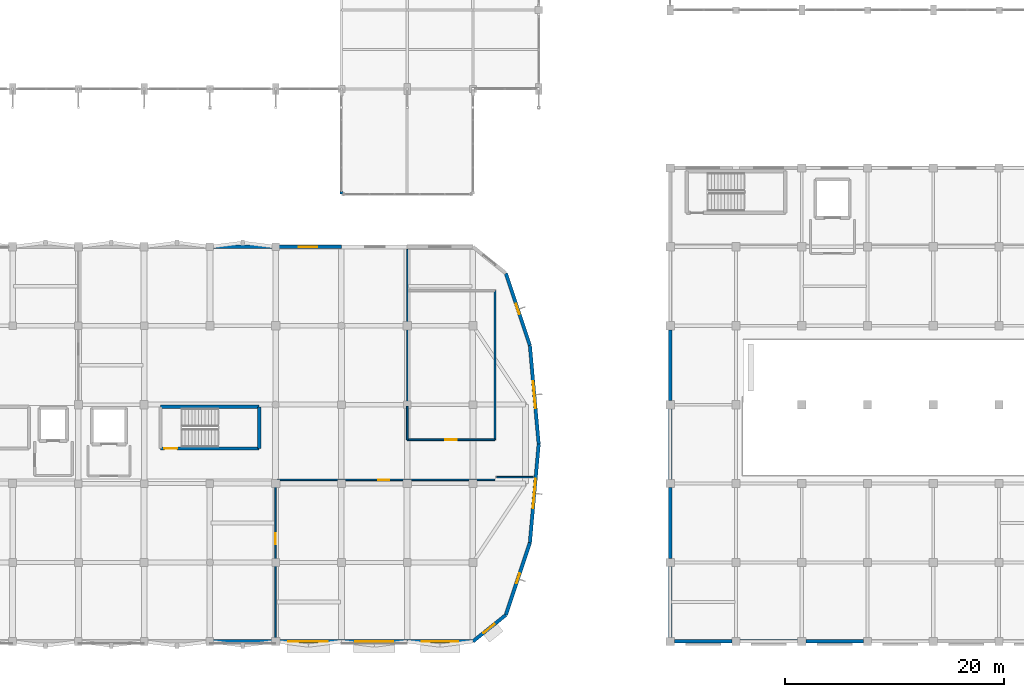
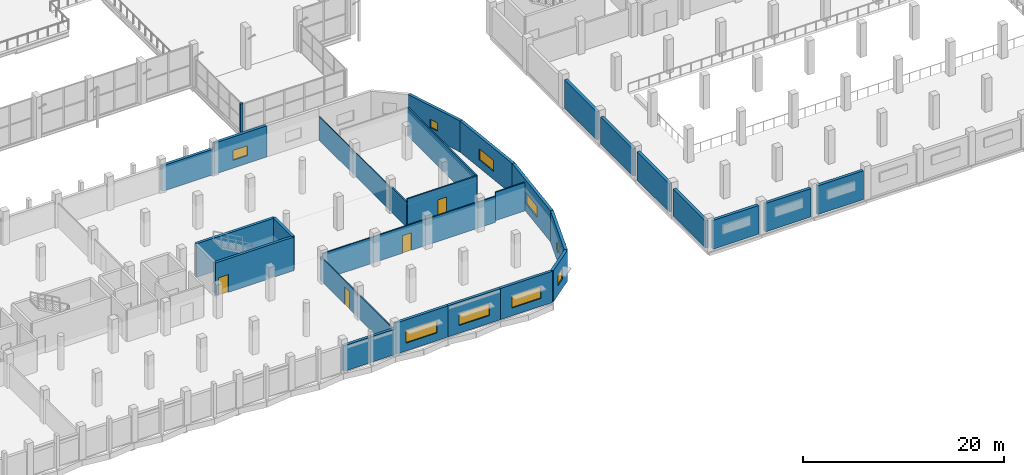
# One storey, part 107 of 127: 29 walls, 9 windows, 4 doors, 13 openings.
"""IFC4 building model written with IfcOpenShell, lengths in metres."""

from ifc_helpers import new_model, si_unit, direction, frame, frame_2d, origin, place, context, subcontext, project, spatial, rectangle, extrude, material, layer, layer_set, type_object, element, fill, save


model = new_model("IFC4")

# Units and contexts
model_context = context("Model", 3, precision=1e-05, world=origin(), true_north=direction((0.0, 1.0)))
body_context = subcontext(model_context, "Body", "Model", "MODEL_VIEW")
ifc_project = project(units=[si_unit("LENGTHUNIT", "METRE"), si_unit("AREAUNIT", "SQUARE_METRE"), si_unit("VOLUMEUNIT", "CUBIC_METRE"), si_unit("PLANEANGLEUNIT", "RADIAN"), si_unit("MASSUNIT", "GRAM", prefix="KILO")], contexts=[model_context])

# Site, building, storey
site_placement = place(None, origin())
site = spatial("IfcSite", under=ifc_project, at=site_placement, CompositionType="ELEMENT")
building_placement = place(site_placement, origin())
building = spatial("IfcBuilding", under=site, at=building_placement, Name="Dunvalen Ferry Terminal", CompositionType="ELEMENT")
storey_placement = place(building_placement, frame((0.0, 0.0, 5.760009765625)))
storey = spatial("IfcBuildingStorey", under=building, at=storey_placement, Name="L01", CompositionType="ELEMENT", Elevation=5.760009765625)

# Walls
ifc_material_1 = material(Name="Precast concrete C40/50", Category="concrete")
ifc_layer_1 = layer(ifc_material_1, 0.27001953125, Name="Precast concrete C40/50")
ifc_layer_set_1 = layer_set([ifc_layer_1], Name="Precast concrete C40/50")
wall_type_1 = type_object("IfcWallType", Name="ENV-WL-PAV270", PredefinedType="SOLIDWALL", material=ifc_layer_set_1)
wall_1_placement = place(storey_placement, frame((78.0, 40.800048828125, 0.0), z_axis=(0.0, 0.0, 1.0), x_axis=(0.0, 1.0, 0.0)))
element("IfcWall", 1, at=wall_1_placement, inside=storey, type_object=wall_type_1, Name="L01 Link Bridge South Pier Jamb 1", PredefinedType="SOLIDWALL", context=body_context, shape_type="SweptSolid", body=[
    extrude(rectangle(XDim=0.25, YDim=0.27001953125, at=frame_2d((0.125, 0.0))), origin(), (0.0, 0.0, 1.0), 3.43994140625),
])
ifc_layer_2 = layer(ifc_material_1, 0.320068359375, Name="Precast concrete C40/50")
ifc_layer_set_2 = layer_set([ifc_layer_2], Name="Precast concrete C40/50")
wall_type_2 = type_object("IfcWallType", Name="ENV-WL-SPN320", PredefinedType="SOLIDWALL", material=ifc_layer_set_2)
wall_2_placement = place(storey_placement, frame((66.0, 0.0, 0.0), z_axis=(0.0, 0.0, 1.0), x_axis=(1.0, 0.0, 0.0)))
element("IfcWall", 2, at=wall_2_placement, inside=storey, type_object=wall_type_2, Name="L01 Streamline Moderne Facade Wall 01.11", PredefinedType="SOLIDWALL", context=body_context, shape_type="SweptSolid", body=[
    extrude(rectangle(XDim=6.0, YDim=0.320068359375, at=frame_2d((3.0, 0.0))), origin(), (0.0, 0.0, 1.0), 3.110107421875),
])

# Wall, opening, window
wall_3_placement = place(storey_placement, frame((72.0, 0.0, 0.0), z_axis=(0.0, 0.0, 1.0), x_axis=(1.0, 0.0, 0.0)))
wall_3 = element("IfcWall", 3, at=wall_3_placement, inside=storey, type_object=wall_type_2, Name="L01 Streamline Moderne Facade Wall 01.12", PredefinedType="SOLIDWALL", context=body_context, shape_type="SweptSolid", body=[
    extrude(rectangle(XDim=6.0, YDim=0.320068359375, at=frame_2d((3.0, 0.0))), origin(), (0.0, 0.0, 1.0), 3.780029296875),
])
opening_1_placement = place(wall_3_placement, frame((1.148193359375, 0.0, 0.949951171875)))
opening_1 = element("IfcOpeningElement", 4, at=opening_1_placement, cuts=wall_3, Name="Opening W-23", PredefinedType="OPENING", context=body_context, shape_type="SweptSolid", body=[
    extrude(rectangle(XDim=3.60009765625, YDim=1.5, at=frame_2d((1.800048828125, 0.75))), frame((0.0, 0.169921875, 0.0), z_axis=(0.0, -1.0, 0.0), x_axis=(1.0, 0.0, 0.0)), (0.0, 0.0, 1.0), 0.340087890625),
])
ifc_material_2 = material(Name="Thermally broken aluminium and double glazing", Category="aluminium")
window_type_1 = type_object("IfcWindowType", Name="ENV-WIN-RIB-23", PartitioningType="SINGLE_PANEL", PredefinedType="WINDOW", material=ifc_material_2)
window_1_placement = place(opening_1_placement, origin())
window_1 = element("IfcWindow", 5, at=window_1_placement, inside=storey, type_object=window_type_1, Name="L01 Streamline Ribbon Window 01.12", OverallHeight=1.5, OverallWidth=3.60009765625, PartitioningType="SINGLE_PANEL", PredefinedType="WINDOW", context=body_context, shape_type="SweptSolid", body=[
    extrude(rectangle(XDim=3.60009765625, YDim=1.5, at=frame_2d((1.800048828125, 0.75))), frame((0.0, 0.030029296875, 0.0), z_axis=(0.0, -1.0, 0.0), x_axis=(1.0, 0.0, 0.0)), (0.0, 0.0, 1.0), 0.06005859375),
])
fill(opening_1, window_1)

wall_4_placement = place(storey_placement, frame((78.0, 0.0, 0.0), z_axis=(0.0, 0.0, 1.0), x_axis=(1.0, 0.0, 0.0)))
wall_4 = element("IfcWall", 6, at=wall_4_placement, inside=storey, type_object=wall_type_2, Name="L01 Streamline Moderne Facade Wall 01.13", PredefinedType="SOLIDWALL", context=body_context, shape_type="SweptSolid", body=[
    extrude(rectangle(XDim=6.0, YDim=0.320068359375, at=frame_2d((3.0, 0.0))), origin(), (0.0, 0.0, 1.0), 3.780029296875),
])
opening_2_placement = place(wall_4_placement, frame((1.25, 0.0, 0.949951171875)))
opening_2 = element("IfcOpeningElement", 7, at=opening_2_placement, cuts=wall_4, Name="Opening W-24", PredefinedType="OPENING", context=body_context, shape_type="SweptSolid", body=[
    extrude(rectangle(XDim=3.5, YDim=1.449951171875, at=frame_2d((1.75, 0.72509765625))), frame((0.0, 0.169921875, 0.0), z_axis=(0.0, -1.0, 0.0), x_axis=(1.0, 0.0, 0.0)), (0.0, 0.0, 1.0), 0.340087890625),
])
window_type_2 = type_object("IfcWindowType", Name="ENV-WIN-RIB-24", PartitioningType="SINGLE_PANEL", PredefinedType="WINDOW", material=ifc_material_2)
window_2_placement = place(opening_2_placement, origin())
window_2 = element("IfcWindow", 8, at=window_2_placement, inside=storey, type_object=window_type_2, Name="L01 Streamline Ribbon Window 01.13", OverallHeight=1.449951171875, OverallWidth=3.5, PartitioningType="SINGLE_PANEL", PredefinedType="WINDOW", context=body_context, shape_type="SweptSolid", body=[
    extrude(rectangle(XDim=3.5, YDim=1.449951171875, at=frame_2d((1.75, 0.72509765625))), frame((0.0, 0.030029296875, 0.0), z_axis=(0.0, -1.0, 0.0), x_axis=(1.0, 0.0, 0.0)), (0.0, 0.0, 1.0), 0.06005859375),
])
fill(opening_2, window_2)

wall_5_placement = place(storey_placement, frame((84.0, 0.0, 0.0), z_axis=(0.0, 0.0, 1.0), x_axis=(1.0, 0.0, 0.0)))
wall_5 = element("IfcWall", 9, at=wall_5_placement, inside=storey, type_object=wall_type_2, Name="L01 Streamline Moderne Facade Wall 01.14", PredefinedType="SOLIDWALL", context=body_context, shape_type="SweptSolid", body=[
    extrude(rectangle(XDim=6.0, YDim=0.320068359375, at=frame_2d((3.0, 0.0))), origin(), (0.0, 0.0, 1.0), 3.780029296875),
])
opening_3_placement = place(wall_5_placement, frame((1.35009765625, 0.0, 0.949951171875)))
opening_3 = element("IfcOpeningElement", 10, at=opening_3_placement, cuts=wall_5, Name="Opening W-25", PredefinedType="OPENING", context=body_context, shape_type="SweptSolid", body=[
    extrude(rectangle(XDim=3.300048828125, YDim=1.449951171875, at=frame_2d((1.64990234375, 0.72509765625))), frame((0.0, 0.169921875, 0.0), z_axis=(0.0, -1.0, 0.0), x_axis=(1.0, 0.0, 0.0)), (0.0, 0.0, 1.0), 0.340087890625),
])
window_type_3 = type_object("IfcWindowType", Name="ENV-WIN-RIB-25", PartitioningType="SINGLE_PANEL", PredefinedType="WINDOW", material=ifc_material_2)
window_3_placement = place(opening_3_placement, origin())
window_3 = element("IfcWindow", 11, at=window_3_placement, inside=storey, type_object=window_type_3, Name="L01 Streamline Ribbon Window 01.14", OverallHeight=1.449951171875, OverallWidth=3.300048828125, PartitioningType="SINGLE_PANEL", PredefinedType="WINDOW", context=body_context, shape_type="SweptSolid", body=[
    extrude(rectangle(XDim=3.300048828125, YDim=1.449951171875, at=frame_2d((1.64990234375, 0.72509765625))), frame((0.0, 0.030029296875, 0.0), z_axis=(0.0, -1.0, 0.0), x_axis=(1.0, 0.0, 0.0)), (0.0, 0.0, 1.0), 0.06005859375),
])
fill(opening_3, window_3)

wall_6_placement = place(storey_placement, frame((90.0, 0.0, 0.0), z_axis=(0.0, 0.0, 1.0), x_axis=(0.779393889884, 0.626534248395, 0.0)))
wall_6 = element("IfcWall", 12, at=wall_6_placement, inside=storey, type_object=wall_type_2, Name="L01 Streamline Moderne Facade Wall 02.01", PredefinedType="SOLIDWALL", context=body_context, shape_type="SweptSolid", body=[
    extrude(rectangle(XDim=3.84912109375, YDim=0.320068359375, at=frame_2d((1.924560546875, 0.0))), origin(), (0.0, 0.0, 1.0), 3.780029296875),
])
opening_4_placement = place(wall_6_placement, frame((1.224365234375, 0.0, 1.14990234375)))
opening_4 = element("IfcOpeningElement", 13, at=opening_4_placement, cuts=wall_6, Name="Opening W-42", PredefinedType="OPENING", context=body_context, shape_type="SweptSolid", body=[
    extrude(rectangle(XDim=1.300048828125, YDim=1.300048828125, at=frame_2d((0.64990234375, 0.64990234375))), frame((0.0, 0.169921875, 0.0), z_axis=(0.0, -1.0, 0.0), x_axis=(1.0, 0.0, 0.0)), (0.0, 0.0, 1.0), 0.340087890625),
])
window_type_4 = type_object("IfcWindowType", Name="ENV-WIN-PRT-42", PartitioningType="SINGLE_PANEL", PredefinedType="WINDOW", material=ifc_material_2)
window_4_placement = place(opening_4_placement, origin())
window_4 = element("IfcWindow", 14, at=window_4_placement, inside=storey, type_object=window_type_4, Name="L01 Streamline Ribbon Window 02.01", OverallHeight=1.300048828125, OverallWidth=1.300048828125, PartitioningType="SINGLE_PANEL", PredefinedType="WINDOW", context=body_context, shape_type="SweptSolid", body=[
    extrude(rectangle(XDim=1.300048828125, YDim=1.300048828125, at=frame_2d((0.64990234375, 0.64990234375))), frame((0.0, 0.030029296875, 0.0), z_axis=(0.0, -1.0, 0.0), x_axis=(1.0, 0.0, 0.0)), (0.0, 0.0, 1.0), 0.06005859375),
])
fill(opening_4, window_4)

wall_7_placement = place(storey_placement, frame((93.0, 2.41162109375, 0.0), z_axis=(0.0, 0.0, 1.0), x_axis=(0.31624885857, 0.948676266939, 0.0)))
wall_7 = element("IfcWall", 15, at=wall_7_placement, inside=storey, type_object=wall_type_2, Name="L01 Streamline Moderne Facade Wall 03.01", PredefinedType="SOLIDWALL", context=body_context, shape_type="SweptSolid", body=[
    extrude(rectangle(XDim=6.94482421875, YDim=0.320068359375, at=frame_2d((3.472412109375, 0.0))), origin(), (0.0, 0.0, 1.0), 3.780029296875),
])
opening_5_placement = place(wall_7_placement, frame((3.048095703125, 0.0, 1.14990234375)))
opening_5 = element("IfcOpeningElement", 16, at=opening_5_placement, cuts=wall_7, Name="Opening W-43", PredefinedType="OPENING", context=body_context, shape_type="SweptSolid", body=[
    extrude(rectangle(XDim=0.949951171875, YDim=0.949951171875, at=frame_2d((0.47509765625, 0.47509765625))), frame((0.0, 0.169921875, 0.0), z_axis=(0.0, -1.0, 0.0), x_axis=(1.0, 0.0, 0.0)), (0.0, 0.0, 1.0), 0.340087890625),
])
window_type_5 = type_object("IfcWindowType", Name="ENV-WIN-PRT-43", PartitioningType="SINGLE_PANEL", PredefinedType="WINDOW", material=ifc_material_2)
window_5_placement = place(opening_5_placement, origin())
window_5 = element("IfcWindow", 17, at=window_5_placement, inside=storey, type_object=window_type_5, Name="L01 Streamline Ribbon Window 03.01", OverallHeight=0.949951171875, OverallWidth=0.949951171875, PartitioningType="SINGLE_PANEL", PredefinedType="WINDOW", context=body_context, shape_type="SweptSolid", body=[
    extrude(rectangle(XDim=0.949951171875, YDim=0.949951171875, at=frame_2d((0.47509765625, 0.47509765625))), frame((0.0, 0.030029296875, 0.0), z_axis=(0.0, -1.0, 0.0), x_axis=(1.0, 0.0, 0.0)), (0.0, 0.0, 1.0), 0.06005859375),
])
fill(opening_5, window_5)

wall_8_placement = place(storey_placement, frame((95.1962890625, 9.0, 0.0), z_axis=(0.0, 0.0, 1.0), x_axis=(0.088947255406, 0.996036337568, 0.0)))
wall_8 = element("IfcWall", 18, at=wall_8_placement, inside=storey, type_object=wall_type_2, Name="L01 Streamline Moderne Facade Wall 04.01", PredefinedType="SOLIDWALL", context=body_context, shape_type="SweptSolid", body=[
    extrude(rectangle(XDim=9.035888671875, YDim=0.320068359375, at=frame_2d((4.51806640625, 0.0))), origin(), (0.0, 0.0, 1.0), 3.780029296875),
])
opening_6_placement = place(wall_8_placement, frame((3.16796875, 0.0, 0.949951171875)))
opening_6 = element("IfcOpeningElement", 19, at=opening_6_placement, cuts=wall_8, Name="Opening W-28", PredefinedType="OPENING", context=body_context, shape_type="SweptSolid", body=[
    extrude(rectangle(XDim=2.699951171875, YDim=1.35009765625, at=frame_2d((1.35009765625, 0.675048828125))), frame((0.0, 0.169921875, 0.0), z_axis=(0.0, -1.0, 0.0), x_axis=(1.0, 0.0, 0.0)), (0.0, 0.0, 1.0), 0.340087890625),
])
window_type_6 = type_object("IfcWindowType", Name="ENV-WIN-RIB-28", PartitioningType="SINGLE_PANEL", PredefinedType="WINDOW", material=ifc_material_2)
window_6_placement = place(opening_6_placement, origin())
window_6 = element("IfcWindow", 20, at=window_6_placement, inside=storey, type_object=window_type_6, Name="L01 Streamline Ribbon Window 04.01", OverallHeight=1.35009765625, OverallWidth=2.699951171875, PartitioningType="SINGLE_PANEL", PredefinedType="WINDOW", context=body_context, shape_type="SweptSolid", body=[
    extrude(rectangle(XDim=2.699951171875, YDim=1.35009765625, at=frame_2d((1.35009765625, 0.675048828125))), frame((0.0, 0.030029296875, 0.0), z_axis=(0.0, -1.0, 0.0), x_axis=(1.0, 0.0, 0.0)), (0.0, 0.0, 1.0), 0.06005859375),
])
fill(opening_6, window_6)

wall_9_placement = place(storey_placement, frame((96.0, 18.0, 0.0), z_axis=(0.0, 0.0, 1.0), x_axis=(-0.088947255406, 0.996036337568, 0.0)))
wall_9 = element("IfcWall", 21, at=wall_9_placement, inside=storey, type_object=wall_type_2, Name="L01 Streamline Moderne Facade Wall 05.01", PredefinedType="SOLIDWALL", context=body_context, shape_type="SweptSolid", body=[
    extrude(rectangle(XDim=9.035888671875, YDim=0.320068359375, at=frame_2d((4.51806640625, 0.0))), origin(), (0.0, 0.0, 1.0), 3.780029296875),
])
opening_7_placement = place(wall_9_placement, frame((3.267822265625, 0.0, 0.949951171875)))
opening_7 = element("IfcOpeningElement", 22, at=opening_7_placement, cuts=wall_9, Name="Opening W-29", PredefinedType="OPENING", context=body_context, shape_type="SweptSolid", body=[
    extrude(rectangle(XDim=2.5, YDim=1.35009765625, at=frame_2d((1.25, 0.675048828125))), frame((0.0, 0.169921875, 0.0), z_axis=(0.0, -1.0, 0.0), x_axis=(1.0, 0.0, 0.0)), (0.0, 0.0, 1.0), 0.340087890625),
])
window_type_7 = type_object("IfcWindowType", Name="ENV-WIN-RIB-29", PartitioningType="SINGLE_PANEL", PredefinedType="WINDOW", material=ifc_material_2)
window_7_placement = place(opening_7_placement, origin())
window_7 = element("IfcWindow", 23, at=window_7_placement, inside=storey, type_object=window_type_7, Name="L01 Streamline Ribbon Window 05.01", OverallHeight=1.35009765625, OverallWidth=2.5, PartitioningType="SINGLE_PANEL", PredefinedType="WINDOW", context=body_context, shape_type="SweptSolid", body=[
    extrude(rectangle(XDim=2.5, YDim=1.35009765625, at=frame_2d((1.25, 0.675048828125))), frame((0.0, 0.030029296875, 0.0), z_axis=(0.0, -1.0, 0.0), x_axis=(1.0, 0.0, 0.0)), (0.0, 0.0, 1.0), 0.06005859375),
])
fill(opening_7, window_7)

wall_10_placement = place(storey_placement, frame((95.1962890625, 27.0, 0.0), z_axis=(0.0, 0.0, 1.0), x_axis=(-0.31624885857, 0.948676266939, 0.0)))
wall_10 = element("IfcWall", 24, at=wall_10_placement, inside=storey, type_object=wall_type_2, Name="L01 Streamline Moderne Facade Wall 06.01", PredefinedType="SOLIDWALL", context=body_context, shape_type="SweptSolid", body=[
    extrude(rectangle(XDim=6.94482421875, YDim=0.320068359375, at=frame_2d((3.472412109375, 0.0))), origin(), (0.0, 0.0, 1.0), 3.780029296875),
])
opening_8_placement = place(wall_10_placement, frame((3.0224609375, 0.0, 1.14990234375)))
opening_8 = element("IfcOpeningElement", 25, at=opening_8_placement, cuts=wall_10, Name="Opening W-18", PredefinedType="OPENING", context=body_context, shape_type="SweptSolid", body=[
    extrude(rectangle(XDim=1.0, YDim=1.0, at=frame_2d((0.5, 0.5))), frame((0.0, 0.169921875, 0.0), z_axis=(0.0, -1.0, 0.0), x_axis=(1.0, 0.0, 0.0)), (0.0, 0.0, 1.0), 0.340087890625),
])
window_type_8 = type_object("IfcWindowType", Name="ENV-WIN-PRT-18", PartitioningType="SINGLE_PANEL", PredefinedType="WINDOW", material=ifc_material_2)
window_8_placement = place(opening_8_placement, origin())
window_8 = element("IfcWindow", 26, at=window_8_placement, inside=storey, type_object=window_type_8, Name="L01 Streamline Ribbon Window 06.01", OverallHeight=1.0, OverallWidth=1.0, PartitioningType="SINGLE_PANEL", PredefinedType="WINDOW", context=body_context, shape_type="SweptSolid", body=[
    extrude(rectangle(XDim=1.0, YDim=1.0, at=frame_2d((0.5, 0.5))), frame((0.0, 0.030029296875, 0.0), z_axis=(0.0, -1.0, 0.0), x_axis=(1.0, 0.0, 0.0)), (0.0, 0.0, 1.0), 0.06005859375),
])
fill(opening_8, window_8)

wall_11_placement = place(storey_placement, frame((78.0, 36.0, 0.0), z_axis=(0.0, 0.0, 1.0), x_axis=(-1.0, 0.0, 0.0)))
wall_11 = element("IfcWall", 27, at=wall_11_placement, inside=storey, type_object=wall_type_2, Name="L01 Streamline Moderne Facade Wall 08.03", PredefinedType="SOLIDWALL", context=body_context, shape_type="SweptSolid", body=[
    extrude(rectangle(XDim=6.0, YDim=0.320068359375, at=frame_2d((3.0, 0.0))), origin(), (0.0, 0.0, 1.0), 3.780029296875),
])
opening_9_placement = place(wall_11_placement, frame((2.22509765625, 0.0, 0.949951171875)))
opening_9 = element("IfcOpeningElement", 28, at=opening_9_placement, cuts=wall_11, Name="Opening W-34", PredefinedType="OPENING", context=body_context, shape_type="SweptSolid", body=[
    extrude(rectangle(XDim=1.64990234375, YDim=1.199951171875, at=frame_2d((0.824951171875, 0.60009765625))), frame((0.0, 0.169921875, 0.0), z_axis=(0.0, -1.0, 0.0), x_axis=(1.0, 0.0, 0.0)), (0.0, 0.0, 1.0), 0.340087890625),
])
window_type_9 = type_object("IfcWindowType", Name="ENV-WIN-RIB-34", PartitioningType="SINGLE_PANEL", PredefinedType="WINDOW", material=ifc_material_2)
window_9_placement = place(opening_9_placement, origin())
window_9 = element("IfcWindow", 29, at=window_9_placement, inside=storey, type_object=window_type_9, Name="L01 Streamline Ribbon Window 08.03", OverallHeight=1.199951171875, OverallWidth=1.64990234375, PartitioningType="SINGLE_PANEL", PredefinedType="WINDOW", context=body_context, shape_type="SweptSolid", body=[
    extrude(rectangle(XDim=1.64990234375, YDim=1.199951171875, at=frame_2d((0.824951171875, 0.60009765625))), frame((0.0, 0.030029296875, 0.0), z_axis=(0.0, -1.0, 0.0), x_axis=(1.0, 0.0, 0.0)), (0.0, 0.0, 1.0), 0.06005859375),
])
fill(opening_9, window_9)

# Walls
wall_12_placement = place(storey_placement, frame((72.0, 36.0, 0.0), z_axis=(0.0, 0.0, 1.0), x_axis=(-1.0, 0.0, 0.0)))
element("IfcWall", 30, at=wall_12_placement, inside=storey, type_object=wall_type_2, Name="L01 Streamline Moderne Facade Wall 08.04", PredefinedType="SOLIDWALL", context=body_context, shape_type="SweptSolid", body=[
    extrude(rectangle(XDim=6.0, YDim=0.320068359375, at=frame_2d((3.0, 0.0))), origin(), (0.0, 0.0, 1.0), 3.110107421875),
])
ifc_material_3 = material(Name="Concrete C40/50", Category="concrete")
ifc_layer_3 = layer(ifc_material_3, 0.330078125, Name="Concrete C40/50")
ifc_layer_set_3 = layer_set([ifc_layer_3], Name="Concrete C40/50")
wall_type_3 = type_object("IfcWallType", Name="ENV-WL-VEH330", PredefinedType="SOLIDWALL", material=ifc_layer_set_3)
wall_13_placement = place(storey_placement, frame((108.376953125, 0.0, 0.0), z_axis=(0.0, 0.0, 1.0), x_axis=(1.0, 0.0, 0.0)))
element("IfcWall", 31, at=wall_13_placement, inside=storey, type_object=wall_type_3, Name="L01 Vehicle Marshalling South Portal Wall 01", PredefinedType="SOLIDWALL", context=body_context, shape_type="SweptSolid", body=[
    extrude(rectangle(XDim=5.24609375, YDim=0.330078125, at=frame_2d((2.623046875, 0.0))), origin(), (0.0, 0.0, 1.0), 3.489990234375),
])
wall_14_placement = place(storey_placement, frame((114.376953125, 0.0, 0.0), z_axis=(0.0, 0.0, 1.0), x_axis=(1.0, 0.0, 0.0)))
element("IfcWall", 32, at=wall_14_placement, inside=storey, type_object=wall_type_3, Name="L01 Vehicle Marshalling South Portal Wall 02", PredefinedType="SOLIDWALL", context=body_context, shape_type="SweptSolid", body=[
    extrude(rectangle(XDim=5.24609375, YDim=0.330078125, at=frame_2d((2.623046875, 0.0))), origin(), (0.0, 0.0, 1.0), 3.43994140625),
])
wall_15_placement = place(storey_placement, frame((120.376953125, 0.0, 0.0), z_axis=(0.0, 0.0, 1.0), x_axis=(1.0, 0.0, 0.0)))
element("IfcWall", 33, at=wall_15_placement, inside=storey, type_object=wall_type_3, Name="L01 Vehicle Marshalling South Portal Wall 03", PredefinedType="SOLIDWALL", context=body_context, shape_type="SweptSolid", body=[
    extrude(rectangle(XDim=5.24609375, YDim=0.330078125, at=frame_2d((2.623046875, 0.0))), origin(), (0.0, 0.0, 1.0), 3.489990234375),
])
wall_16_placement = place(storey_placement, frame((108.0, 0.376953125, 0.0), z_axis=(0.0, 0.0, 1.0), x_axis=(0.0, 1.0, 0.0)))
element("IfcWall", 34, at=wall_16_placement, inside=storey, type_object=wall_type_3, Name="L01 Vehicle Marshalling W Portal Wall 01", PredefinedType="SOLIDWALL", context=body_context, shape_type="SweptSolid", body=[
    extrude(rectangle(XDim=6.446044921875, YDim=0.330078125, at=frame_2d((3.22314453125, 0.0))), origin(), (0.0, 0.0, 1.0), 3.2900390625),
])
wall_17_placement = place(storey_placement, frame((108.0, 7.576904296875, 0.0), z_axis=(0.0, 0.0, 1.0), x_axis=(0.0, 1.0, 0.0)))
element("IfcWall", 35, at=wall_17_placement, inside=storey, type_object=wall_type_3, Name="L01 Vehicle Marshalling W Portal Wall 02", PredefinedType="SOLIDWALL", context=body_context, shape_type="SweptSolid", body=[
    extrude(rectangle(XDim=6.446044921875, YDim=0.330078125, at=frame_2d((3.22314453125, 0.0))), origin(), (0.0, 0.0, 1.0), 3.43994140625),
])
wall_18_placement = place(storey_placement, frame((108.0, 14.777099609375, 0.0), z_axis=(0.0, 0.0, 1.0), x_axis=(0.0, 1.0, 0.0)))
element("IfcWall", 36, at=wall_18_placement, inside=storey, type_object=wall_type_3, Name="L01 Vehicle Marshalling W Portal Wall 03", PredefinedType="SOLIDWALL", context=body_context, shape_type="SweptSolid", body=[
    extrude(rectangle(XDim=6.44580078125, YDim=0.330078125, at=frame_2d((3.222900390625, 0.0))), origin(), (0.0, 0.0, 1.0), 3.2900390625),
])
wall_19_placement = place(storey_placement, frame((108.0, 21.97705078125, 0.0), z_axis=(0.0, 0.0, 1.0), x_axis=(0.0, 1.0, 0.0)))
element("IfcWall", 37, at=wall_19_placement, inside=storey, type_object=wall_type_3, Name="L01 Vehicle Marshalling W Portal Wall 04", PredefinedType="SOLIDWALL", context=body_context, shape_type="SweptSolid", body=[
    extrude(rectangle(XDim=6.446044921875, YDim=0.330078125, at=frame_2d((3.22314453125, 0.0))), origin(), (0.0, 0.0, 1.0), 3.43994140625),
])
ifc_material_4 = material(Name="Framed acoustic glass partition", Category="glass")
ifc_layer_4 = layer(ifc_material_4, 0.10498046875, Name="Framed acoustic glass partition")
ifc_layer_set_4 = layer_set([ifc_layer_4], Name="Framed acoustic glass partition")
wall_type_4 = type_object("IfcWallType", Name="INT-WL-GLZ105", PredefinedType="PARTITIONING", material=ifc_layer_set_4)
wall_20_placement = place(storey_placement, frame((84.0, 21.60009765625, 0.0), z_axis=(0.0, 0.0, 1.0), x_axis=(0.0, 1.0, 0.0)))
element("IfcWall", 38, at=wall_20_placement, inside=storey, type_object=wall_type_4, Name="L01 L01 Port Emergency Simulation and Training Room Partition 4", PredefinedType="PARTITIONING", context=body_context, shape_type="SweptSolid", body=[
    extrude(rectangle(XDim=14.179931640625, YDim=0.10498046875, at=frame_2d((7.08984375, 0.0))), origin(), (0.0, 0.0, 1.0), 2.860107421875),
])
ifc_material_5 = material(Name="Metal-stud gypsum partition", Category="gypsum")
ifc_layer_5 = layer(ifc_material_5, 0.139892578125, Name="Metal-stud gypsum partition")
ifc_layer_set_5 = layer_set([ifc_layer_5], Name="Metal-stud gypsum partition")
wall_type_5 = type_object("IfcWallType", Name="INT-WL-PRT140", PredefinedType="PARTITIONING", material=ifc_layer_set_5)
wall_21_placement = place(storey_placement, frame((95.51123046875, 15.0, 0.0), z_axis=(0.0, 0.0, 1.0), x_axis=(-1.0, 0.0, 0.0)))
element("IfcWall", 39, at=wall_21_placement, inside=storey, type_object=wall_type_5, Name="L01 L01 Terminal Duty Manager and Operations Suite Partition 3", PredefinedType="PARTITIONING", context=body_context, shape_type="SweptSolid", body=[
    extrude(rectangle(XDim=3.351318359375, YDim=0.139892578125, at=frame_2d((1.67578125, 0.0))), origin(), (0.0, 0.0, 1.0), 3.43994140625),
])

# Wall, opening, door
wall_22_placement = place(storey_placement, frame((92.0, 14.739990234375, 0.0), z_axis=(0.0, 0.0, 1.0), x_axis=(-1.0, 0.0, 0.0)))
wall_22 = element("IfcWall", 40, at=wall_22_placement, inside=storey, type_object=wall_type_5, Name="L01 L01 Terminal Duty Manager and Operations Suite Partition 6", PredefinedType="PARTITIONING", context=body_context, shape_type="SweptSolid", body=[
    extrude(rectangle(XDim=19.840087890625, YDim=0.139892578125, at=frame_2d((9.919921875, 0.0))), origin(), (0.0, 0.0, 1.0), 3.159912109375),
])
opening_10_placement = place(wall_22_placement, frame((9.64501953125, 0.0, 0.0)))
opening_10 = element("IfcOpeningElement", 41, at=opening_10_placement, cuts=wall_22, Name="Opening ID-10", PredefinedType="OPENING", context=body_context, shape_type="SweptSolid", body=[
    extrude(rectangle(XDim=1.0, YDim=2.1201171875, at=frame_2d((0.5, 1.06005859375))), frame((0.0, 0.080078125, 0.0), z_axis=(0.0, -1.0, 0.0), x_axis=(1.0, 0.0, 0.0)), (0.0, 0.0, 1.0), 0.159912109375),
])
ifc_material_6 = material(Name="FSC European oak acoustic fire door", Category="wood")
door_type_1 = type_object("IfcDoorType", Name="INT-DR-OFF-1000", OperationType="NOTDEFINED", PredefinedType="DOOR", material=ifc_material_6)
door_1_placement = place(opening_10_placement, origin())
door_1 = element("IfcDoor", 42, at=door_1_placement, inside=storey, type_object=door_type_1, Name="L01 Terminal Duty Manager and Operations Suite Door", OperationType="SINGLE_SWING_RIGHT", OverallHeight=2.1201171875, OverallWidth=1.0, PredefinedType="DOOR", context=body_context, shape_type="SweptSolid", body=[
    extrude(rectangle(XDim=1.0, YDim=2.1201171875, at=frame_2d((0.5, 1.06005859375))), frame((0.0, 0.02490234375, 0.0), z_axis=(0.0, -1.0, 0.0), x_axis=(1.0, 0.0, 0.0)), (0.0, 0.0, 1.0), 0.050048828125),
])
fill(opening_10, door_1)

ifc_material_7 = material(Name="Metal-stud acoustic gypsum partition", Category="gypsum")
ifc_layer_6 = layer(ifc_material_7, 0.14990234375, Name="Metal-stud acoustic gypsum partition")
ifc_layer_set_6 = layer_set([ifc_layer_6], Name="Metal-stud acoustic gypsum partition")
wall_type_6 = type_object("IfcWallType", Name="INT-WL-PRT150", PredefinedType="PARTITIONING", material=ifc_layer_set_6)
wall_23_placement = place(storey_placement, frame((72.0, 0.219970703125, 0.0), z_axis=(0.0, 0.0, 1.0), x_axis=(0.0, 1.0, 0.0)))
wall_23 = element("IfcWall", 43, at=wall_23_placement, inside=storey, type_object=wall_type_6, Name="L01 L01 Marine Pilotage Rostering and Briefing Suite Partition 1", PredefinedType="PARTITIONING", context=body_context, shape_type="SweptSolid", body=[
    extrude(rectangle(XDim=14.52001953125, YDim=0.14990234375, at=frame_2d((7.260009765625, 0.0))), origin(), (0.0, 0.0, 1.0), 2.860107421875),
])
opening_11_placement = place(wall_23_placement, frame((8.648193359375, 0.0, 0.0)))
opening_11 = element("IfcOpeningElement", 44, at=opening_11_placement, cuts=wall_23, Name="Opening ID-10", PredefinedType="OPENING", context=body_context, shape_type="SweptSolid", body=[
    extrude(rectangle(XDim=1.0, YDim=2.1201171875, at=frame_2d((0.5, 1.06005859375))), frame((0.0, 0.0849609375, 0.0), z_axis=(0.0, -1.0, 0.0), x_axis=(1.0, 0.0, 0.0)), (0.0, 0.0, 1.0), 0.169921875),
])
door_2_placement = place(opening_11_placement, origin())
door_2 = element("IfcDoor", 45, at=door_2_placement, inside=storey, type_object=door_type_1, Name="L01 Marine Pilotage Rostering and Briefing Suite Door", OperationType="SINGLE_SWING_LEFT", OverallHeight=2.1201171875, OverallWidth=1.0, PredefinedType="DOOR", context=body_context, shape_type="SweptSolid", body=[
    extrude(rectangle(XDim=1.0, YDim=2.1201171875, at=frame_2d((0.5, 1.06005859375))), frame((0.0, 0.02490234375, 0.0), z_axis=(0.0, -1.0, 0.0), x_axis=(1.0, 0.0, 0.0)), (0.0, 0.0, 1.0), 0.050048828125),
])
fill(opening_11, door_2)

# Wall
ifc_material_8 = material(Name="Moisture-resistant tile-backer partition", Category="gypsum")
ifc_layer_7 = layer(ifc_material_8, 0.159912109375, Name="Moisture-resistant tile-backer partition")
ifc_layer_set_7 = layer_set([ifc_layer_7], Name="Moisture-resistant tile-backer partition")
wall_type_7 = type_object("IfcWallType", Name="INT-WL-PRT160", PredefinedType="PARTITIONING", material=ifc_layer_set_7)
wall_24_placement = place(storey_placement, frame((84.0, 21.43994140625, 0.0), z_axis=(0.0, 0.0, 1.0), x_axis=(0.0, -1.0, 0.0)))
element("IfcWall", 46, at=wall_24_placement, inside=storey, type_object=wall_type_7, Name="L01 L01 Crew Staff and Accessible Toilets Partition 4", PredefinedType="PARTITIONING", context=body_context, shape_type="SweptSolid", body=[
    extrude(rectangle(XDim=3.0400390625, YDim=0.159912109375, at=frame_2d((1.52001953125, 0.0))), origin(), (0.0, 0.0, 1.0), 3.06005859375),
])

# Wall, opening, door
wall_25_placement = place(storey_placement, frame((84.0, 18.39990234375, 0.0), z_axis=(0.0, 0.0, 1.0), x_axis=(1.0, 0.0, 0.0)))
wall_25 = element("IfcWall", 47, at=wall_25_placement, inside=storey, type_object=wall_type_7, Name="L01 L01 Crew Staff and Accessible Toilets Partition 5", PredefinedType="PARTITIONING", context=body_context, shape_type="SweptSolid", body=[
    extrude(rectangle(XDim=8.0, YDim=0.159912109375, at=frame_2d((4.0, 0.0))), origin(), (0.0, 0.0, 1.0), 3.43994140625),
])
opening_12_placement = place(wall_25_placement, frame((3.489990234375, 0.0, 0.0)))
opening_12 = element("IfcOpeningElement", 48, at=opening_12_placement, cuts=wall_25, Name="Opening ID-13", PredefinedType="OPENING", context=body_context, shape_type="SweptSolid", body=[
    extrude(rectangle(XDim=1.02001953125, YDim=2.10009765625, at=frame_2d((0.510009765625, 1.050048828125))), frame((0.0, 0.08984375, 0.0), z_axis=(0.0, -1.0, 0.0), x_axis=(1.0, 0.0, 0.0)), (0.0, 0.0, 1.0), 0.179931640625),
])
ifc_material_9 = material(Name="High-pressure laminate moisture-resistant door", Category="wood")
door_type_2 = type_object("IfcDoorType", Name="INT-DR-WC-1020", OperationType="NOTDEFINED", PredefinedType="DOOR", material=ifc_material_9)
door_3_placement = place(opening_12_placement, origin())
door_3 = element("IfcDoor", 49, at=door_3_placement, inside=storey, type_object=door_type_2, Name="L01 Crew Staff and Accessible Toilets Door", OperationType="SINGLE_SWING_LEFT", OverallHeight=2.10009765625, OverallWidth=1.02001953125, PredefinedType="DOOR", context=body_context, shape_type="SweptSolid", body=[
    extrude(rectangle(XDim=1.02001953125, YDim=2.10009765625, at=frame_2d((0.510009765625, 1.050048828125))), frame((0.0, 0.02490234375, 0.0), z_axis=(0.0, -1.0, 0.0), x_axis=(1.0, 0.0, 0.0)), (0.0, 0.0, 1.0), 0.050048828125),
])
fill(opening_12, door_3)

# Walls
wall_26_placement = place(storey_placement, frame((92.0, 18.39990234375, 0.0), z_axis=(0.0, 0.0, 1.0), x_axis=(0.0, 1.0, 0.0)))
element("IfcWall", 50, at=wall_26_placement, inside=storey, type_object=wall_type_7, Name="L01 L01 Crew Staff and Accessible Toilets Partition 6", PredefinedType="PARTITIONING", context=body_context, shape_type="SweptSolid", body=[
    extrude(rectangle(XDim=13.60009765625, YDim=0.159912109375, at=frame_2d((6.800048828125, 0.0))), origin(), (0.0, 0.0, 1.0), 3.43994140625),
])
ifc_layer_8 = layer(ifc_material_3, 0.300048828125, Name="Concrete C40/50")
ifc_layer_set_8 = layer_set([ifc_layer_8], Name="Concrete C40/50")
wall_type_8 = type_object("IfcWallType", Name="STR-WL-SHR300", PredefinedType="SHEAR", material=ifc_layer_set_8)
wall_27_placement = place(storey_placement, frame((70.5, 17.60009765625, 0.0), z_axis=(0.0, 0.0, 1.0), x_axis=(0.0, 1.0, 0.0)))
element("IfcWall", 51, at=wall_27_placement, inside=storey, type_object=wall_type_8, Name="L01 ST3 Core East Shear Wall", PredefinedType="SHEAR", context=body_context, shape_type="SweptSolid", body=[
    extrude(rectangle(XDim=3.7998046875, YDim=0.300048828125, at=frame_2d((1.89990234375, 0.0))), origin(), (0.0, 0.0, 1.0), 4.080078125),
])
wall_28_placement = place(storey_placement, frame((61.5, 21.39990234375, 0.0), z_axis=(0.0, 0.0, 1.0), x_axis=(1.0, 0.0, 0.0)))
element("IfcWall", 52, at=wall_28_placement, inside=storey, type_object=wall_type_8, Name="L01 ST3 Core North Shear Wall", PredefinedType="SHEAR", context=body_context, shape_type="SweptSolid", body=[
    extrude(rectangle(XDim=9.0, YDim=0.300048828125, at=frame_2d((4.5, 0.0))), origin(), (0.0, 0.0, 1.0), 4.080078125),
])

# Wall, opening, door
wall_29_placement = place(storey_placement, frame((61.5, 17.60009765625, 0.0), z_axis=(0.0, 0.0, 1.0), x_axis=(1.0, 0.0, 0.0)))
wall_29 = element("IfcWall", 53, at=wall_29_placement, inside=storey, type_object=wall_type_8, Name="L01 ST3 Core South Shear Wall", PredefinedType="SHEAR", context=body_context, shape_type="SweptSolid", body=[
    extrude(rectangle(XDim=9.0, YDim=0.300048828125, at=frame_2d((4.5, 0.0))), origin(), (0.0, 0.0, 1.0), 4.080078125),
])
opening_13_placement = place(wall_29_placement, frame((0.35009765625, 0.0, 0.0)))
opening_13 = element("IfcOpeningElement", 54, at=opening_13_placement, cuts=wall_29, Name="Opening ID-02", PredefinedType="OPENING", context=body_context, shape_type="SweptSolid", body=[
    extrude(rectangle(XDim=1.14990234375, YDim=2.14990234375, at=frame_2d((0.574951171875, 1.074951171875))), frame((0.0, 0.16015625, 0.0), z_axis=(0.0, -1.0, 0.0), x_axis=(1.0, 0.0, 0.0)), (0.0, 0.0, 1.0), 0.320068359375),
])
ifc_material_10 = material(Name="Powder-coated steel fire door", Category="steel")
door_type_3 = type_object("IfcDoorType", Name="INT-DR-STR-1150", OperationType="NOTDEFINED", PredefinedType="DOOR", material=ifc_material_10)
door_4_placement = place(opening_13_placement, frame((1.14990234375, 0.0, 0.0), z_axis=(0.0, 0.0, 1.0), x_axis=(-1.0, 0.0, 0.0)))
door_4 = element("IfcDoor", 55, at=door_4_placement, inside=storey, type_object=door_type_3, Name="L01 ST3 Escape Stair Fire Door", OperationType="SINGLE_SWING_LEFT", OverallHeight=2.14990234375, OverallWidth=1.14990234375, PredefinedType="DOOR", context=body_context, shape_type="SweptSolid", body=[
    extrude(rectangle(XDim=1.14990234375, YDim=2.14990234375, at=frame_2d((0.574951171875, 1.074951171875))), frame((0.0, 0.02490234375, 0.0), z_axis=(0.0, -1.0, 0.0), x_axis=(1.0, 0.0, 0.0)), (0.0, 0.0, 1.0), 0.050048828125),
])
fill(opening_13, door_4)

save(model, "model.ifc")
